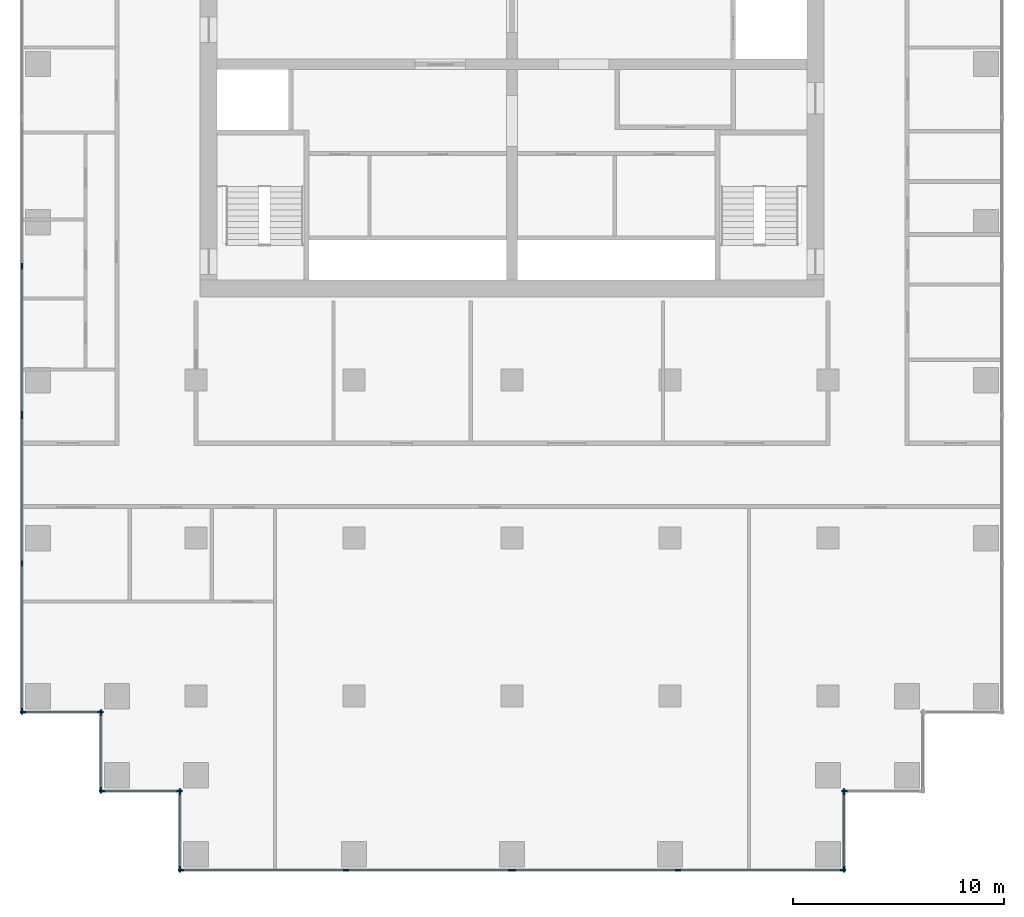
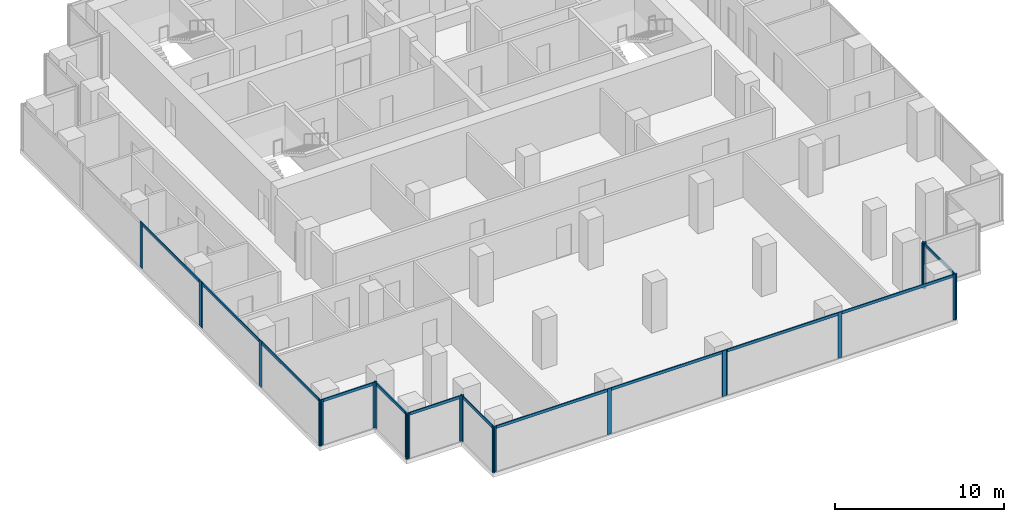
# One storey, part 2 of 10: 34 members, 10 elements without a shape of their own.
"""IFC4 building model written with IfcOpenShell, lengths in metres."""

from ifc_helpers import new_model, si_unit, direction, frame, origin, origin_2d, place, context, subcontext, project, spatial, rectangle, extrude, material, material_profile, profile_set, type_object, element, aggregate, save


model = new_model("IFC4")

# Units and contexts
model_context = context("Model", 3, precision=1e-05, world=origin(), true_north=direction((0.0, 1.0)))
body_context = subcontext(model_context, "Body", "Model", "MODEL_VIEW")
ifc_project = project(units=[si_unit("LENGTHUNIT", "METRE"), si_unit("AREAUNIT", "SQUARE_METRE"), si_unit("VOLUMEUNIT", "CUBIC_METRE"), si_unit("PLANEANGLEUNIT", "RADIAN"), si_unit("MASSUNIT", "GRAM", prefix="KILO")], contexts=[model_context])

# Site, building, storey
site_placement = place(None, origin())
site = spatial("IfcSite", under=ifc_project, at=site_placement, CompositionType="ELEMENT")
building_placement = place(site_placement, origin())
building = spatial("IfcBuilding", under=site, at=building_placement, Name="Pilkhan Gate Tower", CompositionType="ELEMENT")
storey_placement = place(building_placement, frame((0.0, 0.0, 154.89990234375)))
storey = spatial("IfcBuildingStorey", under=building, at=storey_placement, Name="L39", CompositionType="ELEMENT", Elevation=154.89990234375)

# Curtain wall, members
ifc_material_1 = material(Name="Pale anodised aluminium, clear low-iron double glazing", Category="aluminium")
curtain_wall_type = type_object("IfcCurtainWallType", Name="Office unitised curtain wall CW-O1", PredefinedType="USERDEFINED", material=ifc_material_1)
curtain_wall_1_placement = place(storey_placement, origin())
curtain_wall_1 = element("IfcCurtainWall", 1, at=curtain_wall_1_placement, inside=storey, type_object=curtain_wall_type, Name="Office unitised curtain wall CW-O1 L39 W", ObjectType="UNITISED CURTAIN WALL", PredefinedType="USERDEFINED")
ifc_material_2 = material(Name="Pale anodised aluminium", Category="aluminium")
ifc_material_profile_1 = material_profile(ifc_material_2, rectangle(XDim=0.070068359375, YDim=0.27490234375, at=origin_2d()), Name="Mullion 275x70")
ifc_profile_set_1 = profile_set([ifc_material_profile_1], Name="Pale anodised aluminium")
member_type_1 = type_object("IfcMemberType", Name="Mullion CW-O1 275x70", PredefinedType="MULLION", material=ifc_profile_set_1)
member_1_placement = place(storey_placement, frame((51.75, 51.784912109375, 0.0), z_axis=(0.0, 0.0, 1.0), x_axis=(-1.0, 0.0, 0.0)))
member_1 = element("IfcMember", 2, at=member_1_placement, type_object=member_type_1, Name="CW-O1 mullion 1", PredefinedType="MULLION", context=body_context, shape_type="SweptSolid", body=[
    extrude(rectangle(XDim=0.070068359375, YDim=0.27490234375, at=origin_2d()), origin(), (0.0, 0.0, 1.0), 3.300048828125),
])
member_2_placement = place(storey_placement, frame((51.75, 58.800048828125, 0.0), z_axis=(0.0, 0.0, 1.0), x_axis=(-1.0, 0.0, 0.0)))
member_2 = element("IfcMember", 3, at=member_2_placement, type_object=member_type_1, Name="CW-O1 mullion 2", PredefinedType="MULLION", context=body_context, shape_type="SweptSolid", body=[
    extrude(rectangle(XDim=0.070068359375, YDim=0.27490234375, at=origin_2d()), origin(), (0.0, 0.0, 1.0), 3.300048828125),
])
member_3_placement = place(storey_placement, frame((51.75, 65.81494140625, 0.0), z_axis=(0.0, 0.0, 1.0), x_axis=(-1.0, 0.0, 0.0)))
member_3 = element("IfcMember", 4, at=member_3_placement, type_object=member_type_1, Name="CW-O1 mullion 3", PredefinedType="MULLION", context=body_context, shape_type="SweptSolid", body=[
    extrude(rectangle(XDim=0.070068359375, YDim=0.27490234375, at=origin_2d()), origin(), (0.0, 0.0, 1.0), 3.300048828125),
])

curtain_wall_2_placement = place(storey_placement, origin())
curtain_wall_2 = element("IfcCurtainWall", 5, at=curtain_wall_2_placement, inside=storey, type_object=curtain_wall_type, Name="Office unitised curtain wall CW-O1 L39 W", ObjectType="UNITISED CURTAIN WALL", PredefinedType="USERDEFINED")
member_4_placement = place(storey_placement, frame((51.75, 65.885009765625, 0.0), z_axis=(0.0, 0.0, 1.0), x_axis=(-1.0, 0.0, 0.0)))
member_4 = element("IfcMember", 6, at=member_4_placement, type_object=member_type_1, Name="CW-O1 mullion 1", PredefinedType="MULLION", context=body_context, shape_type="SweptSolid", body=[
    extrude(rectangle(XDim=0.070068359375, YDim=0.27490234375, at=origin_2d()), origin(), (0.0, 0.0, 1.0), 3.300048828125),
])
member_5_placement = place(storey_placement, frame((51.75, 72.89990234375, 0.0), z_axis=(0.0, 0.0, 1.0), x_axis=(-1.0, 0.0, 0.0)))
member_5 = element("IfcMember", 7, at=member_5_placement, type_object=member_type_1, Name="CW-O1 mullion 2", PredefinedType="MULLION", context=body_context, shape_type="SweptSolid", body=[
    extrude(rectangle(XDim=0.070068359375, YDim=0.27490234375, at=origin_2d()), origin(), (0.0, 0.0, 1.0), 3.300048828125),
])

curtain_wall_3_placement = place(storey_placement, origin())
curtain_wall_3 = element("IfcCurtainWall", 8, at=curtain_wall_3_placement, inside=storey, type_object=curtain_wall_type, Name="Office unitised curtain wall CW-O1 L39 S", ObjectType="UNITISED CURTAIN WALL", PredefinedType="USERDEFINED")
member_6_placement = place(storey_placement, frame((51.784912109375, 51.75, 0.0), z_axis=(0.0, 0.0, 1.0), x_axis=(0.0, 1.0, 0.0)))
member_6 = element("IfcMember", 9, at=member_6_placement, type_object=member_type_1, Name="CW-O1 mullion 1", PredefinedType="MULLION", context=body_context, shape_type="SweptSolid", body=[
    extrude(rectangle(XDim=0.070068359375, YDim=0.27490234375, at=origin_2d()), origin(), (0.0, 0.0, 1.0), 3.300048828125),
])
member_7_placement = place(storey_placement, frame((55.465087890625, 51.75, 0.0), z_axis=(0.0, 0.0, 1.0), x_axis=(0.0, 1.0, 0.0)))
member_7 = element("IfcMember", 10, at=member_7_placement, type_object=member_type_1, Name="CW-O1 mullion 2", PredefinedType="MULLION", context=body_context, shape_type="SweptSolid", body=[
    extrude(rectangle(XDim=0.070068359375, YDim=0.27490234375, at=origin_2d()), origin(), (0.0, 0.0, 1.0), 3.300048828125),
])

curtain_wall_4_placement = place(storey_placement, origin())
curtain_wall_4 = element("IfcCurtainWall", 11, at=curtain_wall_4_placement, inside=storey, type_object=curtain_wall_type, Name="Office unitised curtain wall CW-O1 L39 W", ObjectType="UNITISED CURTAIN WALL", PredefinedType="USERDEFINED")
member_8_placement = place(storey_placement, frame((55.5, 48.034912109375, 0.0), z_axis=(0.0, 0.0, 1.0), x_axis=(-1.0, 0.0, 0.0)))
member_8 = element("IfcMember", 12, at=member_8_placement, type_object=member_type_1, Name="CW-O1 mullion 1", PredefinedType="MULLION", context=body_context, shape_type="SweptSolid", body=[
    extrude(rectangle(XDim=0.070068359375, YDim=0.27490234375, at=origin_2d()), origin(), (0.0, 0.0, 1.0), 3.300048828125),
])
member_9_placement = place(storey_placement, frame((55.5, 51.715087890625, 0.0), z_axis=(0.0, 0.0, 1.0), x_axis=(-1.0, 0.0, 0.0)))
member_9 = element("IfcMember", 13, at=member_9_placement, type_object=member_type_1, Name="CW-O1 mullion 2", PredefinedType="MULLION", context=body_context, shape_type="SweptSolid", body=[
    extrude(rectangle(XDim=0.070068359375, YDim=0.27490234375, at=origin_2d()), origin(), (0.0, 0.0, 1.0), 3.300048828125),
])

curtain_wall_5_placement = place(storey_placement, origin())
curtain_wall_5 = element("IfcCurtainWall", 14, at=curtain_wall_5_placement, inside=storey, type_object=curtain_wall_type, Name="Office unitised curtain wall CW-O1 L39 S", ObjectType="UNITISED CURTAIN WALL", PredefinedType="USERDEFINED")
member_10_placement = place(storey_placement, frame((55.534912109375, 48.0, 0.0), z_axis=(0.0, 0.0, 1.0), x_axis=(0.0, 1.0, 0.0)))
member_10 = element("IfcMember", 15, at=member_10_placement, type_object=member_type_1, Name="CW-O1 mullion 1", PredefinedType="MULLION", context=body_context, shape_type="SweptSolid", body=[
    extrude(rectangle(XDim=0.070068359375, YDim=0.27490234375, at=origin_2d()), origin(), (0.0, 0.0, 1.0), 3.300048828125),
])
member_11_placement = place(storey_placement, frame((59.215087890625, 48.0, 0.0), z_axis=(0.0, 0.0, 1.0), x_axis=(0.0, 1.0, 0.0)))
member_11 = element("IfcMember", 16, at=member_11_placement, type_object=member_type_1, Name="CW-O1 mullion 2", PredefinedType="MULLION", context=body_context, shape_type="SweptSolid", body=[
    extrude(rectangle(XDim=0.070068359375, YDim=0.27490234375, at=origin_2d()), origin(), (0.0, 0.0, 1.0), 3.300048828125),
])

curtain_wall_6_placement = place(storey_placement, origin())
curtain_wall_6 = element("IfcCurtainWall", 17, at=curtain_wall_6_placement, inside=storey, type_object=curtain_wall_type, Name="Office unitised curtain wall CW-O1 L39 W", ObjectType="UNITISED CURTAIN WALL", PredefinedType="USERDEFINED")
member_12_placement = place(storey_placement, frame((59.25, 44.284912109375, 0.0), z_axis=(0.0, 0.0, 1.0), x_axis=(-1.0, 0.0, 0.0)))
member_12 = element("IfcMember", 18, at=member_12_placement, type_object=member_type_1, Name="CW-O1 mullion 1", PredefinedType="MULLION", context=body_context, shape_type="SweptSolid", body=[
    extrude(rectangle(XDim=0.070068359375, YDim=0.27490234375, at=origin_2d()), origin(), (0.0, 0.0, 1.0), 3.300048828125),
])
member_13_placement = place(storey_placement, frame((59.25, 47.965087890625, 0.0), z_axis=(0.0, 0.0, 1.0), x_axis=(-1.0, 0.0, 0.0)))
member_13 = element("IfcMember", 19, at=member_13_placement, type_object=member_type_1, Name="CW-O1 mullion 2", PredefinedType="MULLION", context=body_context, shape_type="SweptSolid", body=[
    extrude(rectangle(XDim=0.070068359375, YDim=0.27490234375, at=origin_2d()), origin(), (0.0, 0.0, 1.0), 3.300048828125),
])

curtain_wall_7_placement = place(storey_placement, origin())
curtain_wall_7 = element("IfcCurtainWall", 20, at=curtain_wall_7_placement, inside=storey, type_object=curtain_wall_type, Name="Office unitised curtain wall CW-O1 L39 S", ObjectType="UNITISED CURTAIN WALL", PredefinedType="USERDEFINED")
member_14_placement = place(storey_placement, frame((59.284912109375, 44.25, 0.0), z_axis=(0.0, 0.0, 1.0), x_axis=(0.0, 1.0, 0.0)))
member_14 = element("IfcMember", 21, at=member_14_placement, type_object=member_type_1, Name="CW-O1 mullion 1", PredefinedType="MULLION", context=body_context, shape_type="SweptSolid", body=[
    extrude(rectangle(XDim=0.070068359375, YDim=0.27490234375, at=origin_2d()), origin(), (0.0, 0.0, 1.0), 3.300048828125),
])
member_15_placement = place(storey_placement, frame((67.125, 44.25, 0.0), z_axis=(0.0, 0.0, 1.0), x_axis=(0.0, 1.0, 0.0)))
member_15 = element("IfcMember", 22, at=member_15_placement, type_object=member_type_1, Name="CW-O1 mullion 2", PredefinedType="MULLION", context=body_context, shape_type="SweptSolid", body=[
    extrude(rectangle(XDim=0.070068359375, YDim=0.27490234375, at=origin_2d()), origin(), (0.0, 0.0, 1.0), 3.300048828125),
])
member_16_placement = place(storey_placement, frame((74.965087890625, 44.25, 0.0), z_axis=(0.0, 0.0, 1.0), x_axis=(0.0, 1.0, 0.0)))
member_16 = element("IfcMember", 23, at=member_16_placement, type_object=member_type_1, Name="CW-O1 mullion 3", PredefinedType="MULLION", context=body_context, shape_type="SweptSolid", body=[
    extrude(rectangle(XDim=0.070068359375, YDim=0.27490234375, at=origin_2d()), origin(), (0.0, 0.0, 1.0), 3.300048828125),
])

curtain_wall_8_placement = place(storey_placement, origin())
curtain_wall_8 = element("IfcCurtainWall", 24, at=curtain_wall_8_placement, inside=storey, type_object=curtain_wall_type, Name="Office unitised curtain wall CW-O1 L39 S", ObjectType="UNITISED CURTAIN WALL", PredefinedType="USERDEFINED")
member_17_placement = place(storey_placement, frame((75.034912109375, 44.25, 0.0), z_axis=(0.0, 0.0, 1.0), x_axis=(0.0, 1.0, 0.0)))
member_17 = element("IfcMember", 25, at=member_17_placement, type_object=member_type_1, Name="CW-O1 mullion 1", PredefinedType="MULLION", context=body_context, shape_type="SweptSolid", body=[
    extrude(rectangle(XDim=0.070068359375, YDim=0.27490234375, at=origin_2d()), origin(), (0.0, 0.0, 1.0), 3.300048828125),
])
member_18_placement = place(storey_placement, frame((82.875, 44.25, 0.0), z_axis=(0.0, 0.0, 1.0), x_axis=(0.0, 1.0, 0.0)))
member_18 = element("IfcMember", 26, at=member_18_placement, type_object=member_type_1, Name="CW-O1 mullion 2", PredefinedType="MULLION", context=body_context, shape_type="SweptSolid", body=[
    extrude(rectangle(XDim=0.070068359375, YDim=0.27490234375, at=origin_2d()), origin(), (0.0, 0.0, 1.0), 3.300048828125),
])
member_19_placement = place(storey_placement, frame((90.715087890625, 44.25, 0.0), z_axis=(0.0, 0.0, 1.0), x_axis=(0.0, 1.0, 0.0)))
member_19 = element("IfcMember", 27, at=member_19_placement, type_object=member_type_1, Name="CW-O1 mullion 3", PredefinedType="MULLION", context=body_context, shape_type="SweptSolid", body=[
    extrude(rectangle(XDim=0.070068359375, YDim=0.27490234375, at=origin_2d()), origin(), (0.0, 0.0, 1.0), 3.300048828125),
])

curtain_wall_9_placement = place(storey_placement, origin())
curtain_wall_9 = element("IfcCurtainWall", 28, at=curtain_wall_9_placement, inside=storey, type_object=curtain_wall_type, Name="Office unitised curtain wall CW-O1 L39 E", ObjectType="UNITISED CURTAIN WALL", PredefinedType="USERDEFINED")
member_20_placement = place(storey_placement, frame((90.75, 44.284912109375, 0.0), z_axis=(0.0, 0.0, 1.0), x_axis=(-1.0, 0.0, 0.0)))
member_20 = element("IfcMember", 29, at=member_20_placement, type_object=member_type_1, Name="CW-O1 mullion 1", PredefinedType="MULLION", context=body_context, shape_type="SweptSolid", body=[
    extrude(rectangle(XDim=0.070068359375, YDim=0.27490234375, at=origin_2d()), origin(), (0.0, 0.0, 1.0), 3.300048828125),
])
member_21_placement = place(storey_placement, frame((90.75, 47.965087890625, 0.0), z_axis=(0.0, 0.0, 1.0), x_axis=(-1.0, 0.0, 0.0)))
member_21 = element("IfcMember", 30, at=member_21_placement, type_object=member_type_1, Name="CW-O1 mullion 2", PredefinedType="MULLION", context=body_context, shape_type="SweptSolid", body=[
    extrude(rectangle(XDim=0.070068359375, YDim=0.27490234375, at=origin_2d()), origin(), (0.0, 0.0, 1.0), 3.300048828125),
])

# Curtain wall, member
curtain_wall_10_placement = place(storey_placement, origin())
curtain_wall_10 = element("IfcCurtainWall", 31, at=curtain_wall_10_placement, inside=storey, type_object=curtain_wall_type, Name="Office unitised curtain wall CW-O1 L39 S", ObjectType="UNITISED CURTAIN WALL", PredefinedType="USERDEFINED")
member_22_placement = place(storey_placement, frame((90.784912109375, 48.0, 0.0), z_axis=(0.0, 0.0, 1.0), x_axis=(0.0, 1.0, 0.0)))
member_22 = element("IfcMember", 32, at=member_22_placement, type_object=member_type_1, Name="CW-O1 mullion 1", PredefinedType="MULLION", context=body_context, shape_type="SweptSolid", body=[
    extrude(rectangle(XDim=0.070068359375, YDim=0.27490234375, at=origin_2d()), origin(), (0.0, 0.0, 1.0), 3.300048828125),
])
aggregate(curtain_wall_10, [member_22])

# Member
ifc_material_profile_2 = material_profile(ifc_material_2, rectangle(XDim=0.070068359375, YDim=0.199951171875, at=origin_2d()), Name="Transom 200x70")
ifc_profile_set_2 = profile_set([ifc_material_profile_2], Name="Pale anodised aluminium")
member_type_2 = type_object("IfcMemberType", Name="Transom CW-O1 200x70", PredefinedType="USERDEFINED", material=ifc_profile_set_2)
member_23_placement = place(storey_placement, frame((51.75, 51.820068359375, 3.2001953125), z_axis=(0.0, 1.0, 0.0), x_axis=(-1.0, 0.0, 0.0)))
member_23 = element("IfcMember", 33, at=member_23_placement, type_object=member_type_2, Name="CW-O1 transom 1", ObjectType="TRANSOM", PredefinedType="USERDEFINED", context=body_context, shape_type="SweptSolid", body=[
    extrude(rectangle(XDim=0.070068359375, YDim=0.199951171875, at=origin_2d()), origin(), (0.0, 0.0, 1.0), 6.94482421875),
])

member_24_placement = place(storey_placement, frame((51.75, 58.8349609375, 3.2001953125), z_axis=(0.0, 1.0, 0.0), x_axis=(-1.0, 0.0, 0.0)))
member_24 = element("IfcMember", 34, at=member_24_placement, type_object=member_type_2, Name="CW-O1 transom 2", ObjectType="TRANSOM", PredefinedType="USERDEFINED", context=body_context, shape_type="SweptSolid", body=[
    extrude(rectangle(XDim=0.070068359375, YDim=0.199951171875, at=origin_2d()), origin(), (0.0, 0.0, 1.0), 6.945068359375),
])

aggregate(curtain_wall_1, [member_1, member_2, member_3, member_23, member_24])

member_25_placement = place(storey_placement, frame((51.75, 65.919921875, 3.2001953125), z_axis=(0.0, 1.0, 0.0), x_axis=(-1.0, 0.0, 0.0)))
member_25 = element("IfcMember", 35, at=member_25_placement, type_object=member_type_2, Name="CW-O1 transom 1", ObjectType="TRANSOM", PredefinedType="USERDEFINED", context=body_context, shape_type="SweptSolid", body=[
    extrude(rectangle(XDim=0.070068359375, YDim=0.199951171875, at=origin_2d()), origin(), (0.0, 0.0, 1.0), 6.945068359375),
])

aggregate(curtain_wall_2, [member_4, member_5, member_25])

member_26_placement = place(storey_placement, frame((51.820068359375, 51.75, 3.2001953125), z_axis=(1.0, 0.0, 0.0), x_axis=(0.0, 1.0, 0.0)))
member_26 = element("IfcMember", 36, at=member_26_placement, type_object=member_type_2, Name="CW-O1 transom 1", ObjectType="TRANSOM", PredefinedType="USERDEFINED", context=body_context, shape_type="SweptSolid", body=[
    extrude(rectangle(XDim=0.070068359375, YDim=0.199951171875, at=origin_2d()), origin(), (0.0, 0.0, 1.0), 3.60986328125),
])

aggregate(curtain_wall_3, [member_6, member_7, member_26])

member_27_placement = place(storey_placement, frame((55.5, 48.070068359375, 3.2001953125), z_axis=(0.0, 1.0, 0.0), x_axis=(-1.0, 0.0, 0.0)))
member_27 = element("IfcMember", 37, at=member_27_placement, type_object=member_type_2, Name="CW-O1 transom 1", ObjectType="TRANSOM", PredefinedType="USERDEFINED", context=body_context, shape_type="SweptSolid", body=[
    extrude(rectangle(XDim=0.070068359375, YDim=0.199951171875, at=origin_2d()), origin(), (0.0, 0.0, 1.0), 3.60986328125),
])

aggregate(curtain_wall_4, [member_8, member_9, member_27])

member_28_placement = place(storey_placement, frame((55.570068359375, 48.0, 3.2001953125), z_axis=(1.0, 0.0, 0.0), x_axis=(0.0, 1.0, 0.0)))
member_28 = element("IfcMember", 38, at=member_28_placement, type_object=member_type_2, Name="CW-O1 transom 1", ObjectType="TRANSOM", PredefinedType="USERDEFINED", context=body_context, shape_type="SweptSolid", body=[
    extrude(rectangle(XDim=0.070068359375, YDim=0.199951171875, at=origin_2d()), origin(), (0.0, 0.0, 1.0), 3.60986328125),
])

aggregate(curtain_wall_5, [member_10, member_11, member_28])

member_29_placement = place(storey_placement, frame((59.25, 44.320068359375, 3.2001953125), z_axis=(0.0, 1.0, 0.0), x_axis=(-1.0, 0.0, 0.0)))
member_29 = element("IfcMember", 39, at=member_29_placement, type_object=member_type_2, Name="CW-O1 transom 1", ObjectType="TRANSOM", PredefinedType="USERDEFINED", context=body_context, shape_type="SweptSolid", body=[
    extrude(rectangle(XDim=0.070068359375, YDim=0.199951171875, at=origin_2d()), origin(), (0.0, 0.0, 1.0), 3.60986328125),
])

aggregate(curtain_wall_6, [member_12, member_13, member_29])

member_30_placement = place(storey_placement, frame((59.320068359375, 44.25, 3.2001953125), z_axis=(1.0, 0.0, 0.0), x_axis=(0.0, 1.0, 0.0)))
member_30 = element("IfcMember", 40, at=member_30_placement, type_object=member_type_2, Name="CW-O1 transom 1", ObjectType="TRANSOM", PredefinedType="USERDEFINED", context=body_context, shape_type="SweptSolid", body=[
    extrude(rectangle(XDim=0.070068359375, YDim=0.199951171875, at=origin_2d()), origin(), (0.0, 0.0, 1.0), 7.77001953125),
])

member_31_placement = place(storey_placement, frame((67.159912109375, 44.25, 3.2001953125), z_axis=(1.0, 0.0, 0.0), x_axis=(0.0, 1.0, 0.0)))
member_31 = element("IfcMember", 41, at=member_31_placement, type_object=member_type_2, Name="CW-O1 transom 2", ObjectType="TRANSOM", PredefinedType="USERDEFINED", context=body_context, shape_type="SweptSolid", body=[
    extrude(rectangle(XDim=0.070068359375, YDim=0.199951171875, at=origin_2d()), origin(), (0.0, 0.0, 1.0), 7.77001953125),
])

aggregate(curtain_wall_7, [member_14, member_15, member_16, member_30, member_31])

member_32_placement = place(storey_placement, frame((75.070068359375, 44.25, 3.2001953125), z_axis=(1.0, 0.0, 0.0), x_axis=(0.0, 1.0, 0.0)))
member_32 = element("IfcMember", 42, at=member_32_placement, type_object=member_type_2, Name="CW-O1 transom 1", ObjectType="TRANSOM", PredefinedType="USERDEFINED", context=body_context, shape_type="SweptSolid", body=[
    extrude(rectangle(XDim=0.070068359375, YDim=0.199951171875, at=origin_2d()), origin(), (0.0, 0.0, 1.0), 7.77001953125),
])

member_33_placement = place(storey_placement, frame((82.909912109375, 44.25, 3.2001953125), z_axis=(1.0, 0.0, 0.0), x_axis=(0.0, 1.0, 0.0)))
member_33 = element("IfcMember", 43, at=member_33_placement, type_object=member_type_2, Name="CW-O1 transom 2", ObjectType="TRANSOM", PredefinedType="USERDEFINED", context=body_context, shape_type="SweptSolid", body=[
    extrude(rectangle(XDim=0.070068359375, YDim=0.199951171875, at=origin_2d()), origin(), (0.0, 0.0, 1.0), 7.77001953125),
])

aggregate(curtain_wall_8, [member_17, member_18, member_19, member_32, member_33])

member_34_placement = place(storey_placement, frame((90.75, 44.320068359375, 3.2001953125), z_axis=(0.0, 1.0, 0.0), x_axis=(-1.0, 0.0, 0.0)))
member_34 = element("IfcMember", 44, at=member_34_placement, type_object=member_type_2, Name="CW-O1 transom 1", ObjectType="TRANSOM", PredefinedType="USERDEFINED", context=body_context, shape_type="SweptSolid", body=[
    extrude(rectangle(XDim=0.070068359375, YDim=0.199951171875, at=origin_2d()), origin(), (0.0, 0.0, 1.0), 3.60986328125),
])

aggregate(curtain_wall_9, [member_20, member_21, member_34])

save(model, "model.ifc")
